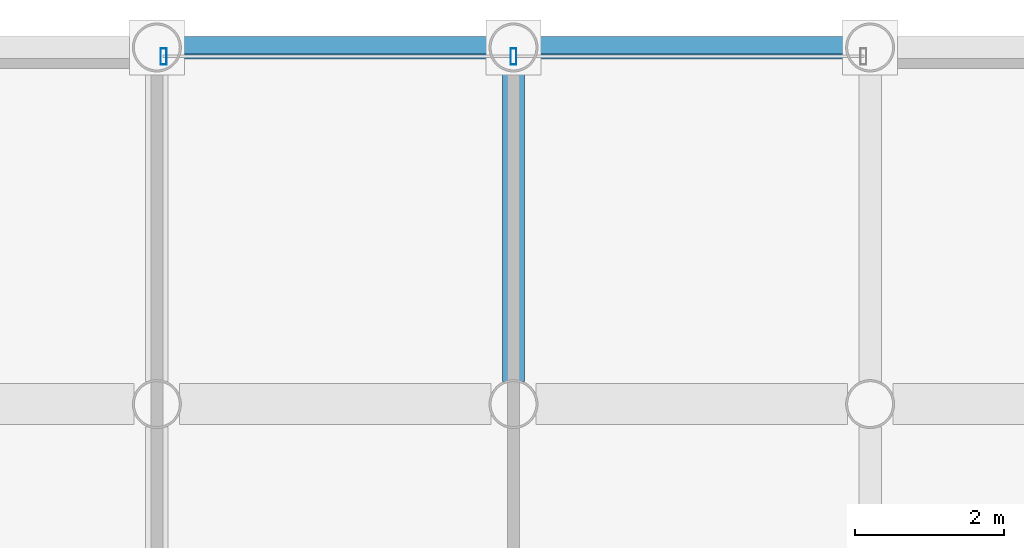
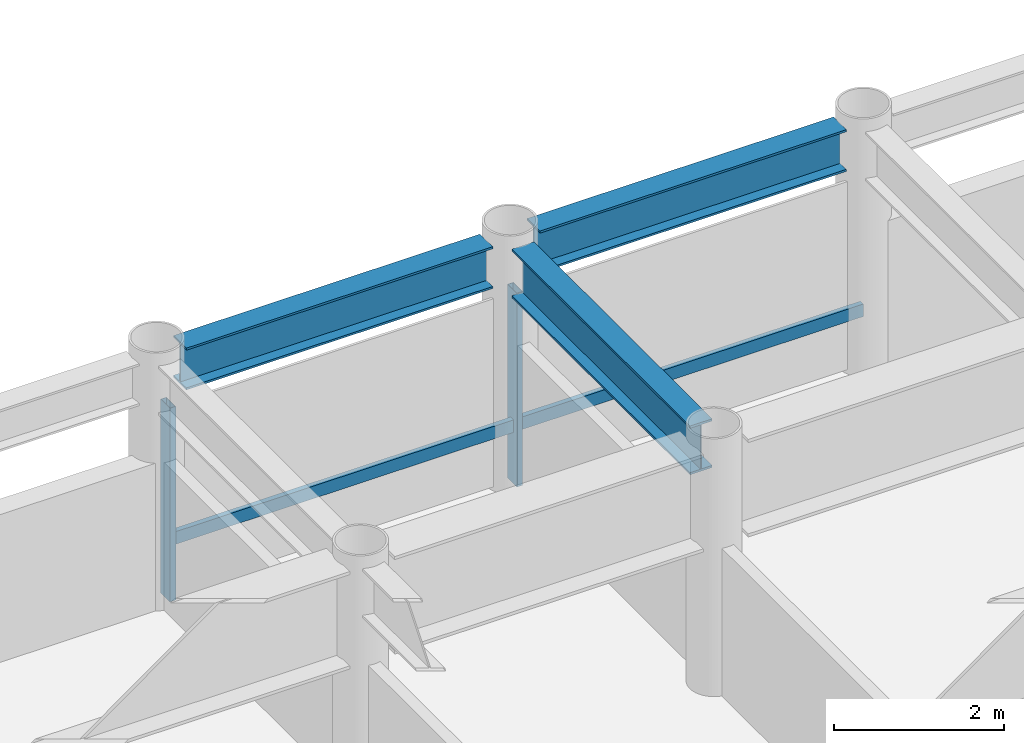
# One storey, part 13 of 22: 4 members, 3 beams, 1 element without a shape of its own.
"""IFC4 building model written with IfcOpenShell, lengths in metres."""

from ifc_helpers import new_model, si_unit, direction, frame, origin, origin_2d, place, context, subcontext, project, spatial, hollow_rectangle, i_section, extrude, material, layer, layer_set, material_profile, profile_set, type_object, element, aggregate, save


model = new_model("IFC4")

# Units and contexts
model_context = context("Model", 3, precision=1e-05, world=origin(), true_north=direction((0.0, 1.0)))
body_context = subcontext(model_context, "Body", "Model", "MODEL_VIEW")
ifc_project = project(units=[si_unit("LENGTHUNIT", "METRE"), si_unit("AREAUNIT", "SQUARE_METRE"), si_unit("VOLUMEUNIT", "CUBIC_METRE"), si_unit("PLANEANGLEUNIT", "RADIAN"), si_unit("MASSUNIT", "GRAM", prefix="KILO")], contexts=[model_context])

# Site, building, storey
site_placement = place(None, origin())
site = spatial("IfcSite", under=ifc_project, at=site_placement, CompositionType="ELEMENT")
building_placement = place(site_placement, origin())
building = spatial("IfcBuilding", under=site, at=building_placement, Name="Kallvorn Hotel Tower", CompositionType="ELEMENT")
storey_placement = place(building_placement, frame((0.0, 0.0, 95.199951171875)))
storey = spatial("IfcBuildingStorey", under=building, at=storey_placement, Name="L22", CompositionType="ELEMENT", Elevation=95.199951171875)

# Beams
ifc_material_1 = material(Name="Structural steel S355JR", Category="steel")
ifc_material_profile_1 = material_profile(ifc_material_1, i_section(OverallWidth=0.300048828125, OverallDepth=0.60009765625, WebThickness=0.015380859375, FlangeThickness=0.030029296875, at=origin_2d()), Name="HE 600 B")
ifc_profile_set_1 = profile_set([ifc_material_profile_1], Name="Structural steel S355JR")
beam_type_1 = type_object("IfcBeamType", Name="BM_HE600B", PredefinedType="SPANDREL", material=ifc_profile_set_1)
for number, where, z_axis, x_axis, name in (
    (1, (-4.47998046875, 24.0, 3.219970703125), (1.0, 0.0, 0.0), (0.0, 1.0, 0.0), "L23 Perimeter Spandrel 167"),
    (2, (0.320068359375, 24.0, 3.219970703125), (1.0, 0.0, 0.0), (0.0, 1.0, 0.0), "L23 Perimeter Spandrel 168"),
):
    element("IfcBeam", number, at=place(storey_placement, frame(where, z_axis=z_axis, x_axis=x_axis)), inside=storey, type_object=beam_type_1, Name=name, PredefinedType="SPANDREL", context=body_context, shape_type="SweptSolid", body=[
        extrude(i_section(OverallWidth=0.300048828125, OverallDepth=0.60009765625, WebThickness=0.015380859375, FlangeThickness=0.030029296875, at=origin_2d()), origin(), (0.0, 0.0, 1.0), 4.159912109375),
    ])
ifc_material_2 = material(Name="Structural steel S355JR", Category="steel")
ifc_material_profile_2 = material_profile(ifc_material_2, i_section(OverallWidth=0.300048828125, OverallDepth=0.699951171875, WebThickness=0.01708984375, FlangeThickness=0.031982421875, at=origin_2d()), Name="HE 700 B")
ifc_profile_set_2 = profile_set([ifc_material_profile_2], Name="Structural steel S355JR")
beam_type_2 = type_object("IfcBeamType", Name="BM_HE700B", PredefinedType="BEAM", material=ifc_profile_set_2)
beam_placement = place(storey_placement, frame((0.0, 19.5048828125, 3.170166015625), z_axis=(0.0, 1.0, 0.0), x_axis=(-1.0, 0.0, 0.0)))
element("IfcBeam", 3, at=beam_placement, inside=storey, type_object=beam_type_2, Name="L23 Primary Y-Girder 112", PredefinedType="BEAM", context=body_context, shape_type="SweptSolid", body=[
    extrude(i_section(OverallWidth=0.300048828125, OverallDepth=0.699951171875, WebThickness=0.01708984375, FlangeThickness=0.031982421875, at=origin_2d()), origin(), (0.0, 0.0, 1.0), 4.190185546875),
])

# Curtain wall, members
ifc_material_3 = material(Name="Thermally broken black-anodised aluminium AA 6063-T6", Category="aluminium")
ifc_layer = layer(ifc_material_3, 0.199951171875)
ifc_layer_set = layer_set([ifc_layer], Name="CW_SYS_3_HOTEL_LOW")
curtain_wall_type = type_object("IfcCurtainWallType", Name="CW_SYS_3_HOTEL_LOW", PredefinedType="USERDEFINED", material=ifc_layer_set)
curtain_wall_placement = place(storey_placement, origin())
curtain_wall = element("IfcCurtainWall", 4, at=curtain_wall_placement, inside=storey, type_object=curtain_wall_type, Name="L22 Dark-Glass Curtain Wall CW-L22-NC", ObjectType="UNITISED CURTAIN WALL", PredefinedType="USERDEFINED")
ifc_material_4 = material(Name="Thermally broken black-anodised aluminium AA 6063-T6", Category="aluminium")
ifc_material_profile_3 = material_profile(ifc_material_4, hollow_rectangle(XDim=0.080078125, YDim=0.219970703125, WallThickness=0.0048828125, at=origin_2d()), Name="MUL 220x80")
ifc_profile_set_3 = profile_set([ifc_material_profile_3], Name="Thermally broken black-anodised aluminium AA 6063-T6")
member_type_1 = type_object("IfcMemberType", Name="CW_MULLION_220x80", PredefinedType="MULLION", material=ifc_profile_set_3)
member_1_placement = place(storey_placement, frame((-4.7099609375, 23.8798828125, 0.02001953125), z_axis=(0.0, 0.0, 1.0), x_axis=(1.0, 0.0, 0.0)))
member_1 = element("IfcMember", 5, at=member_1_placement, type_object=member_type_1, Name="CW-L22-NC Mullion 00", PredefinedType="MULLION", context=body_context, shape_type="SweptSolid", body=[
    extrude(hollow_rectangle(XDim=0.080078125, YDim=0.219970703125, WallThickness=0.0048828125, at=origin_2d()), origin(), (0.0, 0.0, 1.0), 2.780029296875),
])
member_2_placement = place(storey_placement, frame((0.0, 23.8798828125, 0.02001953125), z_axis=(0.0, 0.0, 1.0), x_axis=(1.0, 0.0, 0.0)))
member_2 = element("IfcMember", 6, at=member_2_placement, type_object=member_type_1, Name="CW-L22-NC Mullion 01", PredefinedType="MULLION", context=body_context, shape_type="SweptSolid", body=[
    extrude(hollow_rectangle(XDim=0.080078125, YDim=0.219970703125, WallThickness=0.0048828125, at=origin_2d()), origin(), (0.0, 0.0, 1.0), 2.780029296875),
])
ifc_material_5 = material(Name="Thermally broken black-anodised aluminium AA 6063-T6", Category="aluminium")
ifc_material_profile_4 = material_profile(ifc_material_5, hollow_rectangle(XDim=0.070068359375, YDim=0.179931640625, WallThickness=0.00390625, at=origin_2d()), Name="TRN 180x70")
ifc_profile_set_4 = profile_set([ifc_material_profile_4], Name="Thermally broken black-anodised aluminium AA 6063-T6")
member_type_2 = type_object("IfcMemberType", Name="CW_TRANSOM_180x70", PredefinedType="USERDEFINED", material=ifc_profile_set_4)
member_3_placement = place(storey_placement, frame((-4.7099609375, 23.8798828125, 0.85009765625), z_axis=(1.0, 0.0, 0.0), x_axis=(0.0, 1.0, 0.0)))
member_3 = element("IfcMember", 7, at=member_3_placement, type_object=member_type_2, Name="CW-L22-NC Transom 00M", ObjectType="TRANSOM", PredefinedType="USERDEFINED", context=body_context, shape_type="SweptSolid", body=[
    extrude(hollow_rectangle(XDim=0.070068359375, YDim=0.179931640625, WallThickness=0.00390625, at=origin_2d()), origin(), (0.0, 0.0, 1.0), 4.669921875),
])
member_4_placement = place(storey_placement, frame((0.0400390625, 23.8798828125, 0.85009765625), z_axis=(1.0, 0.0, 0.0), x_axis=(0.0, 1.0, 0.0)))
member_4 = element("IfcMember", 8, at=member_4_placement, type_object=member_type_2, Name="CW-L22-NC Transom 01M", ObjectType="TRANSOM", PredefinedType="USERDEFINED", context=body_context, shape_type="SweptSolid", body=[
    extrude(hollow_rectangle(XDim=0.070068359375, YDim=0.179931640625, WallThickness=0.00390625, at=origin_2d()), origin(), (0.0, 0.0, 1.0), 4.669921875),
])
aggregate(curtain_wall, [member_1, member_2, member_3, member_4])

save(model, "model.ifc")
